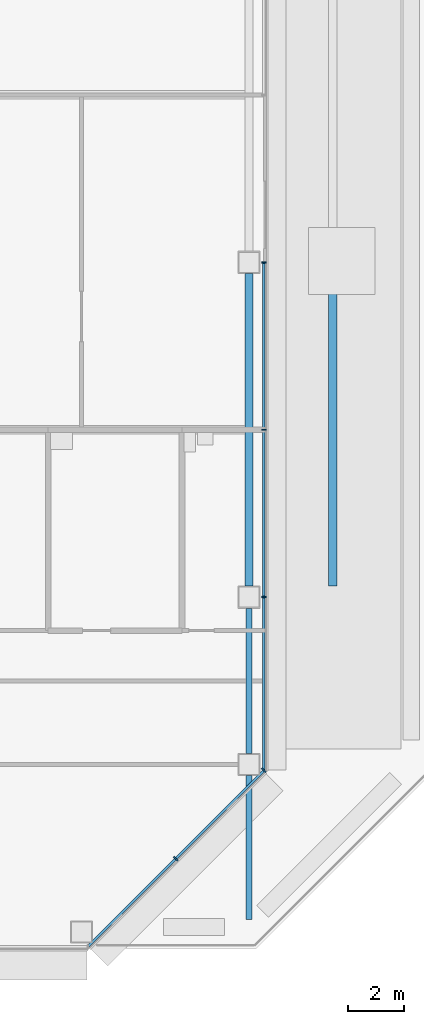
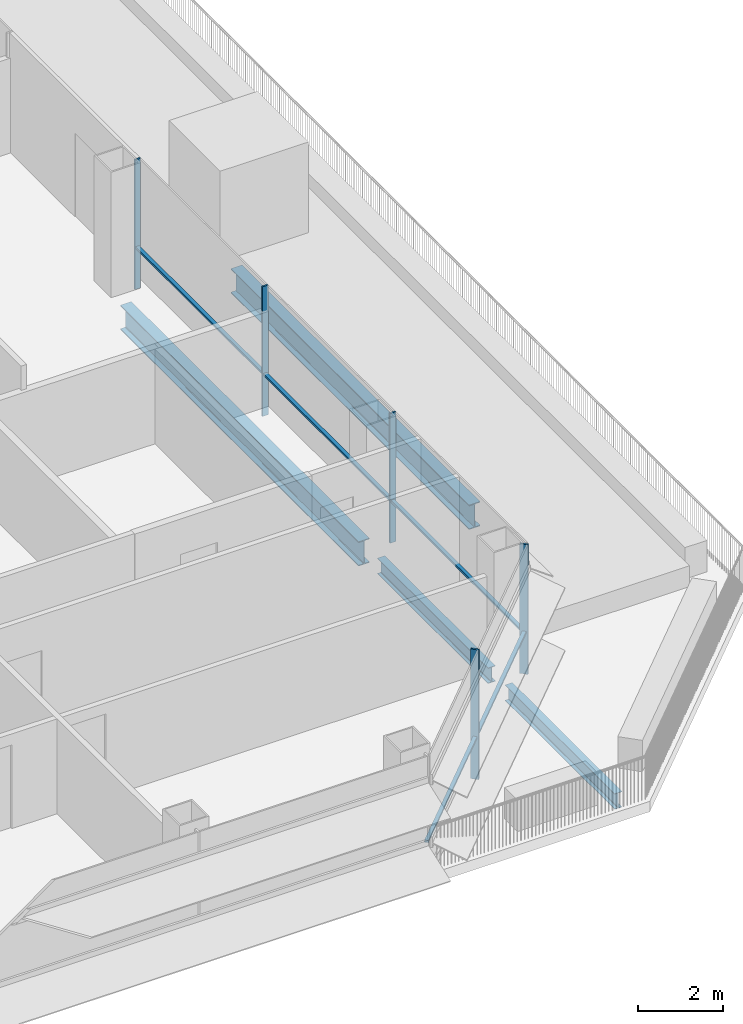
# One storey, part 14 of 28: 7 members, 4 beams, 2 elements without a shape of their own.
"""IFC4 building model written with IfcOpenShell, lengths in metres."""

from ifc_helpers import new_model, si_unit, direction, frame, origin, origin_2d, place, context, subcontext, project, spatial, rectangle, i_section, extrude, material, material_profile, profile_set, type_object, element, aggregate, save


model = new_model("IFC4")

# Units and contexts
model_context = context("Model", 3, precision=1e-05, world=origin(), true_north=direction((0.0, 1.0)))
body_context = subcontext(model_context, "Body", "Model", "MODEL_VIEW")
ifc_project = project(units=[si_unit("LENGTHUNIT", "METRE"), si_unit("AREAUNIT", "SQUARE_METRE"), si_unit("VOLUMEUNIT", "CUBIC_METRE"), si_unit("PLANEANGLEUNIT", "RADIAN"), si_unit("MASSUNIT", "GRAM", prefix="KILO")], contexts=[model_context])

# Site, building, storey
site_placement = place(None, origin())
site = spatial("IfcSite", under=ifc_project, at=site_placement, CompositionType="ELEMENT")
building_placement = place(site_placement, origin())
building = spatial("IfcBuilding", under=site, at=building_placement, Name="Sorahane Residences", CompositionType="ELEMENT")
storey_placement = place(building_placement, frame((0.0, 0.0, 96.199951171875)))
storey = spatial("IfcBuildingStorey", under=building, at=storey_placement, Name="L20", CompositionType="ELEMENT", Elevation=96.199951171875)

# Curtain wall, members
ifc_material_1 = material(Name="Dark low-e glass and black anodised aluminium", Category="aluminium")
curtain_wall_type_1 = type_object("IfcCurtainWallType", Name="Curtain wall CW-1 Typical unitised wall", PredefinedType="NOTDEFINED", material=ifc_material_1)
curtain_wall_1_placement = place(storey_placement, origin())
curtain_wall_1 = element("IfcCurtainWall", 1, at=curtain_wall_1_placement, inside=storey, type_object=curtain_wall_type_1, Name="CW-1 curtain wall L20 E1", PredefinedType="NOTDEFINED")
ifc_material_2 = material(Name="Black anodised aluminium", Category="aluminium")
ifc_material_profile_1 = material_profile(ifc_material_2, rectangle(XDim=0.159912109375, YDim=0.050048828125, at=origin_2d()), Name="Curtain wall mullion CW-1 black anodised aluminium 50x160")
ifc_profile_set_1 = profile_set([ifc_material_profile_1], Name="Black anodised aluminium")
member_type_1 = type_object("IfcMemberType", Name="Curtain wall mullion CW-1 black anodised aluminium 50x160", PredefinedType="MULLION", material=ifc_profile_set_1)
member_1_placement = place(storey_placement, frame((60.5400390625, 12.0, -0.300048828125), z_axis=(0.0, 0.0, 1.0), x_axis=(1.0, 0.0, 0.0)))
member_1 = element("IfcMember", 2, at=member_1_placement, type_object=member_type_1, Name="CW-1 mullion L20 E1.2", PredefinedType="MULLION", context=body_context, shape_type="SweptSolid", body=[
    extrude(rectangle(XDim=0.159912109375, YDim=0.050048828125, at=origin_2d()), origin(), (0.0, 0.0, 1.0), 3.72021484375),
])
member_2_placement = place(storey_placement, frame((60.5400390625, 18.0, -0.300048828125), z_axis=(0.0, 0.0, 1.0), x_axis=(1.0, 0.0, 0.0)))
member_2 = element("IfcMember", 3, at=member_2_placement, type_object=member_type_1, Name="CW-1 mullion L20 E1.3", PredefinedType="MULLION", context=body_context, shape_type="SweptSolid", body=[
    extrude(rectangle(XDim=0.159912109375, YDim=0.050048828125, at=origin_2d()), origin(), (0.0, 0.0, 1.0), 3.72021484375),
])
member_3_placement = place(storey_placement, frame((60.5400390625, 24.0, -0.300048828125), z_axis=(0.0, 0.0, 1.0), x_axis=(1.0, 0.0, 0.0)))
member_3 = element("IfcMember", 4, at=member_3_placement, type_object=member_type_1, Name="CW-1 mullion L20 E1.4", PredefinedType="MULLION", context=body_context, shape_type="SweptSolid", body=[
    extrude(rectangle(XDim=0.159912109375, YDim=0.050048828125, at=origin_2d()), origin(), (0.0, 0.0, 1.0), 3.72021484375),
])

ifc_material_3 = material(Name="Dark low-e glass and black anodised aluminium", Category="aluminium")
curtain_wall_type_2 = type_object("IfcCurtainWallType", Name="Curtain wall CW-2 Chamfer unitised wall", PredefinedType="NOTDEFINED", material=ifc_material_3)
curtain_wall_2_placement = place(storey_placement, origin())
curtain_wall_2 = element("IfcCurtainWall", 5, at=curtain_wall_2_placement, inside=storey, type_object=curtain_wall_type_2, Name="CW-2 curtain wall L20 SE1", PredefinedType="NOTDEFINED")
ifc_material_4 = material(Name="Black anodised aluminium", Category="aluminium")
ifc_material_profile_2 = material_profile(ifc_material_4, rectangle(XDim=0.199951171875, YDim=0.050048828125, at=origin_2d()), Name="Curtain wall mullion CW-2 black anodised aluminium 50x200")
ifc_profile_set_2 = profile_set([ifc_material_profile_2], Name="Black anodised aluminium")
member_type_2 = type_object("IfcMemberType", Name="Curtain wall mullion CW-2 black anodised aluminium 50x200", PredefinedType="MULLION", material=ifc_profile_set_2)
member_4_placement = place(storey_placement, frame((57.36767578125, 2.63232421875, -0.300048828125), z_axis=(0.0, 0.0, 1.0), x_axis=(0.707106781187, -0.707106781187, 0.0)))
member_4 = element("IfcMember", 6, at=member_4_placement, type_object=member_type_2, Name="CW-2 mullion L20 SE1.2", PredefinedType="MULLION", context=body_context, shape_type="SweptSolid", body=[
    extrude(rectangle(XDim=0.199951171875, YDim=0.050048828125, at=origin_2d()), origin(), (0.0, 0.0, 1.0), 3.72021484375),
])
member_5_placement = place(storey_placement, frame((60.525634765625, 5.790283203125, -0.300048828125), z_axis=(0.0, 0.0, 1.0), x_axis=(0.707106781187, -0.707106781187, 0.0)))
member_5 = element("IfcMember", 7, at=member_5_placement, type_object=member_type_2, Name="CW-2 mullion L20 SE1.3", PredefinedType="MULLION", context=body_context, shape_type="SweptSolid", body=[
    extrude(rectangle(XDim=0.199951171875, YDim=0.050048828125, at=origin_2d()), origin(), (0.0, 0.0, 1.0), 3.72021484375),
])

# Member
ifc_material_5 = material(Name="Black anodised aluminium", Category="aluminium")
ifc_material_profile_3 = material_profile(ifc_material_5, rectangle(XDim=0.10009765625, YDim=0.06005859375, at=origin_2d()), Name="Curtain wall transom CW-1 black anodised aluminium 60x100")
ifc_profile_set_3 = profile_set([ifc_material_profile_3], Name="Black anodised aluminium")
member_type_3 = type_object("IfcMemberType", Name="Curtain wall transom CW-1 black anodised aluminium 60x100", PredefinedType="USERDEFINED", material=ifc_profile_set_3)
member_6_placement = place(storey_placement, frame((60.530029296875, 5.801513671875, 0.900146484375), z_axis=(0.0, 1.0, 0.0), x_axis=(-1.0, 0.0, 0.0)))
member_6 = element("IfcMember", 8, at=member_6_placement, type_object=member_type_3, Name="CW-1 transom L20 E1.1", ObjectType="TRANSOM", PredefinedType="USERDEFINED", context=body_context, shape_type="SweptSolid", body=[
    extrude(rectangle(XDim=0.10009765625, YDim=0.06005859375, at=origin_2d()), origin(), (0.0, 0.0, 1.0), 18.173583984375),
])

aggregate(curtain_wall_1, [member_1, member_2, member_3, member_6])

ifc_material_6 = material(Name="Black anodised aluminium", Category="aluminium")
ifc_material_profile_4 = material_profile(ifc_material_6, rectangle(XDim=0.10009765625, YDim=0.06005859375, at=origin_2d()), Name="Curtain wall transom CW-2 black anodised aluminium 60x100")
ifc_profile_set_4 = profile_set([ifc_material_profile_4], Name="Black anodised aluminium")
member_type_4 = type_object("IfcMemberType", Name="Curtain wall transom CW-2 black anodised aluminium 60x100", PredefinedType="USERDEFINED", material=ifc_profile_set_4)
member_7_placement = place(storey_placement, frame((54.234375, -0.51513671875, 0.900146484375), z_axis=(0.707106781187, 0.707106781187, 0.0), x_axis=(-0.707106781187, 0.707106781187, 0.0)))
member_7 = element("IfcMember", 9, at=member_7_placement, type_object=member_type_4, Name="CW-2 transom L20 SE1", ObjectType="TRANSOM", PredefinedType="USERDEFINED", context=body_context, shape_type="SweptSolid", body=[
    extrude(rectangle(XDim=0.10009765625, YDim=0.06005859375, at=origin_2d()), origin(), (0.0, 0.0, 1.0), 8.88232421875),
])

aggregate(curtain_wall_2, [member_4, member_5, member_7])

# Beams
ifc_material_7 = material(Name="Steel Q355B", Category="steel")
ifc_material_profile_5 = material_profile(ifc_material_7, i_section(OverallWidth=0.199951171875, OverallDepth=0.449951171875, WebThickness=0.009033203125, FlangeThickness=0.013916015625, FilletRadius=0.02001953125, at=origin_2d()), Name="HN 450x200x9x14")
ifc_profile_set_5 = profile_set([ifc_material_profile_5], Name="Steel Q355B")
beam_type_1 = type_object("IfcBeamType", Name="Steel floor beam HN 450x200x9x14 Q355B", PredefinedType="BEAM", material=ifc_profile_set_5)
beam_1_placement = place(storey_placement, frame((60.0, 0.449951171875, -0.52490234375), z_axis=(0.0, 1.0, 0.0), x_axis=(-1.0, 0.0, 0.0)))
element("IfcBeam", 10, at=beam_1_placement, inside=storey, type_object=beam_type_1, Name="Beam L20 051", PredefinedType="BEAM", context=body_context, shape_type="SweptSolid", body=[
    extrude(i_section(OverallWidth=0.199951171875, OverallDepth=0.449951171875, WebThickness=0.009033203125, FlangeThickness=0.013916015625, FilletRadius=0.02001953125, at=origin_2d()), origin(), (0.0, 0.0, 1.0), 5.150146484375),
])
beam_2_placement = place(storey_placement, frame((60.0, 6.39990234375, -0.52490234375), z_axis=(0.0, 1.0, 0.0), x_axis=(-1.0, 0.0, 0.0)))
element("IfcBeam", 11, at=beam_2_placement, inside=storey, type_object=beam_type_1, Name="Beam L20 052", PredefinedType="BEAM", context=body_context, shape_type="SweptSolid", body=[
    extrude(i_section(OverallWidth=0.199951171875, OverallDepth=0.449951171875, WebThickness=0.009033203125, FlangeThickness=0.013916015625, FilletRadius=0.02001953125, at=origin_2d()), origin(), (0.0, 0.0, 1.0), 5.2001953125),
])
ifc_material_8 = material(Name="Steel Q355B", Category="steel")
ifc_material_profile_6 = material_profile(ifc_material_8, i_section(OverallWidth=0.300048828125, OverallDepth=0.699951171875, WebThickness=0.012939453125, FlangeThickness=0.02392578125, FilletRadius=0.028076171875, at=origin_2d()), Name="HN 700x300x13x24")
ifc_profile_set_6 = profile_set([ifc_material_profile_6], Name="Steel Q355B")
beam_type_2 = type_object("IfcBeamType", Name="Steel floor beam HN 700x300x13x24 Q355B", PredefinedType="BEAM", material=ifc_profile_set_6)
beam_3_placement = place(storey_placement, frame((60.0, 12.39990234375, -0.64990234375), z_axis=(0.0, 1.0, 0.0), x_axis=(-1.0, 0.0, 0.0)))
element("IfcBeam", 12, at=beam_3_placement, inside=storey, type_object=beam_type_2, Name="Beam L20 053", PredefinedType="BEAM", context=body_context, shape_type="SweptSolid", body=[
    extrude(i_section(OverallWidth=0.300048828125, OverallDepth=0.699951171875, WebThickness=0.012939453125, FlangeThickness=0.02392578125, FilletRadius=0.028076171875, at=origin_2d()), origin(), (0.0, 0.0, 1.0), 11.2001953125),
])
beam_4_placement = place(storey_placement, frame((63.0, 12.400146484375, -0.64990234375), z_axis=(0.0, 1.0, 0.0), x_axis=(-1.0, 0.0, 0.0)))
element("IfcBeam", 13, at=beam_4_placement, inside=storey, type_object=beam_type_2, Name="Beam L20 068", PredefinedType="BEAM", context=body_context, shape_type="SweptSolid", body=[
    extrude(i_section(OverallWidth=0.300048828125, OverallDepth=0.699951171875, WebThickness=0.012939453125, FlangeThickness=0.02392578125, FilletRadius=0.028076171875, at=origin_2d()), origin(), (0.0, 0.0, 1.0), 11.19970703125),
])

save(model, "model.ifc")
